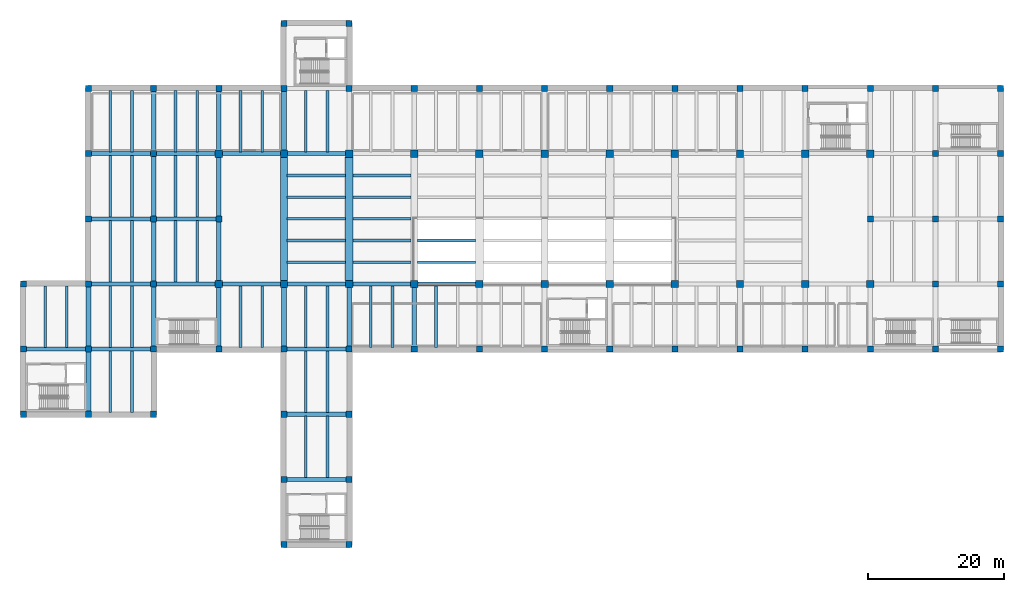
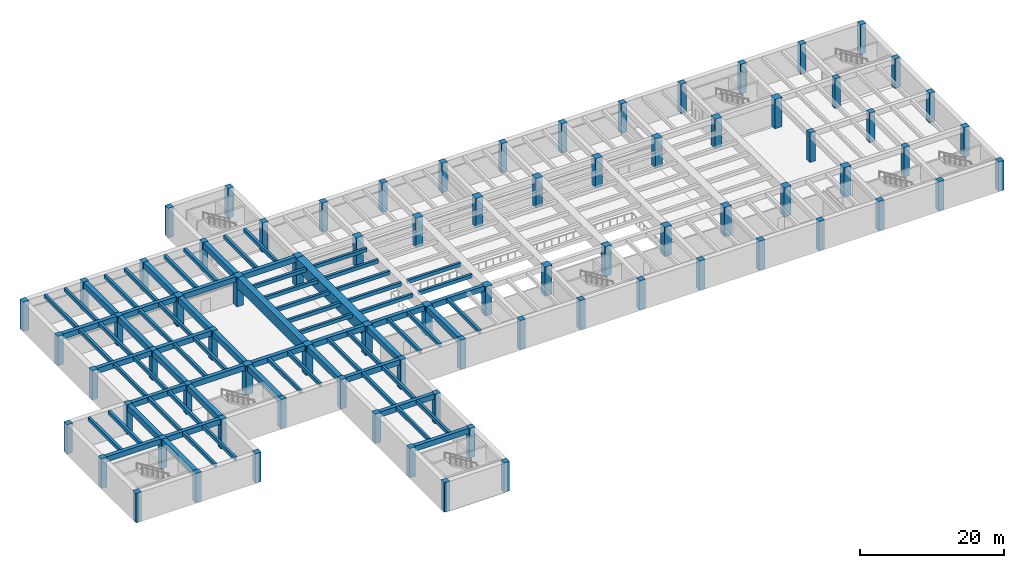
# One storey, part 1 of 19: 79 columns, 78 beams.
"""IFC4 building model written with IfcOpenShell, lengths in metres."""

from ifc_helpers import new_model, si_unit, direction, frame, origin, origin_2d, place, context, subcontext, project, spatial, rectangle, extrude, material, material_profile, profile_set, type_object, element, save


model = new_model("IFC4")

# Units and contexts
model_context = context("Model", 3, precision=1e-05, world=origin(), true_north=direction((0.0, 1.0)))
body_context = subcontext(model_context, "Body", "Model", "MODEL_VIEW")
ifc_project = project(units=[si_unit("LENGTHUNIT", "METRE"), si_unit("AREAUNIT", "SQUARE_METRE"), si_unit("VOLUMEUNIT", "CUBIC_METRE"), si_unit("PLANEANGLEUNIT", "RADIAN"), si_unit("MASSUNIT", "GRAM", prefix="KILO")], contexts=[model_context])

# Site, building, storey
site_placement = place(None, origin())
site = spatial("IfcSite", under=ifc_project, at=site_placement, CompositionType="ELEMENT")
building_placement = place(site_placement, origin())
building = spatial("IfcBuilding", under=site, at=building_placement, Name="Coralgate Yard Interchange", CompositionType="ELEMENT")
storey_placement = place(building_placement, frame((0.0, 0.0, -5.39990234375)))
storey = spatial("IfcBuildingStorey", under=building, at=storey_placement, Name="B1", CompositionType="ELEMENT", Elevation=-5.39990234375)

# Columns
ifc_material = material(Name="Concrete C40/50", Category="concrete")
ifc_material_profile_1 = material_profile(ifc_material, rectangle(XDim=1.10009765625, YDim=1.10009765625, at=origin_2d()), Name="RC 1100x1100")
ifc_profile_set_1 = profile_set([ifc_material_profile_1], Name="Concrete C40/50")
column_type_1 = type_object("IfcColumnType", Name="COL-CC-1", PredefinedType="COLUMN", material=ifc_profile_set_1)
for number, where, z_axis, x_axis, name in (
    (1, (38.39990234375, 48.0, 0.0), (0.0, 0.0, 1.0), (1.0, 0.0, 0.0), "B1 structural column 4-5"),
    (2, (38.39990234375, 67.199951171875, 0.0), (0.0, 0.0, 1.0), (1.0, 0.0, 0.0), "B1 structural column 4-7"),
    (3, (48.0, 48.0, 0.0), (0.0, 0.0, 1.0), (1.0, 0.0, 0.0), "B1 structural column 5-5"),
    (4, (48.0, 67.199951171875, 0.0), (0.0, 0.0, 1.0), (1.0, 0.0, 0.0), "B1 structural column 5-7"),
    (5, (57.60009765625, 48.0, 0.0), (0.0, 0.0, 1.0), (1.0, 0.0, 0.0), "B1 structural column 6-5"),
    (6, (57.60009765625, 67.199951171875, 0.0), (0.0, 0.0, 1.0), (1.0, 0.0, 0.0), "B1 structural column 6-7"),
    (7, (67.199951171875, 48.0, 0.0), (0.0, 0.0, 1.0), (1.0, 0.0, 0.0), "B1 structural column 7-5"),
    (8, (67.199951171875, 67.199951171875, 0.0), (0.0, 0.0, 1.0), (1.0, 0.0, 0.0), "B1 structural column 7-7"),
    (9, (76.800048828125, 48.0, 0.0), (0.0, 0.0, 1.0), (1.0, 0.0, 0.0), "B1 structural column 8-5"),
    (10, (76.800048828125, 67.199951171875, 0.0), (0.0, 0.0, 1.0), (1.0, 0.0, 0.0), "B1 structural column 8-7"),
    (11, (86.39990234375, 48.0, 0.0), (0.0, 0.0, 1.0), (1.0, 0.0, 0.0), "B1 structural column 9-5"),
    (12, (86.39990234375, 67.199951171875, 0.0), (0.0, 0.0, 1.0), (1.0, 0.0, 0.0), "B1 structural column 9-7"),
    (13, (96.0, 48.0, 0.0), (0.0, 0.0, 1.0), (1.0, 0.0, 0.0), "B1 structural column 10-5"),
    (14, (96.0, 67.199951171875, 0.0), (0.0, 0.0, 1.0), (1.0, 0.0, 0.0), "B1 structural column 10-7"),
    (15, (105.60009765625, 48.0, 0.0), (0.0, 0.0, 1.0), (1.0, 0.0, 0.0), "B1 structural column 11-5"),
    (16, (105.60009765625, 67.199951171875, 0.0), (0.0, 0.0, 1.0), (1.0, 0.0, 0.0), "B1 structural column 11-7"),
    (17, (115.199951171875, 48.0, 0.0), (0.0, 0.0, 1.0), (1.0, 0.0, 0.0), "B1 structural column 12-5"),
    (18, (115.199951171875, 67.199951171875, 0.0), (0.0, 0.0, 1.0), (1.0, 0.0, 0.0), "B1 structural column 12-7"),
    (19, (124.800048828125, 48.0, 0.0), (0.0, 0.0, 1.0), (1.0, 0.0, 0.0), "B1 structural column 13-5"),
    (20, (124.800048828125, 67.199951171875, 0.0), (0.0, 0.0, 1.0), (1.0, 0.0, 0.0), "B1 structural column 13-7"),
    (21, (134.39990234375, 48.0, 0.0), (0.0, 0.0, 1.0), (1.0, 0.0, 0.0), "B1 structural column 14-5"),
    (22, (134.39990234375, 67.199951171875, 0.0), (0.0, 0.0, 1.0), (1.0, 0.0, 0.0), "B1 structural column 14-7"),
):
    element("IfcColumn", number, at=place(storey_placement, frame(where, z_axis=z_axis, x_axis=x_axis)), inside=storey, type_object=column_type_1, Name=name, PredefinedType="COLUMN", context=body_context, shape_type="SweptSolid", body=[
        extrude(rectangle(XDim=1.10009765625, YDim=1.10009765625, at=origin_2d()), origin(), (0.0, 0.0, 1.0), 5.0),
    ])
ifc_material_profile_2 = material_profile(ifc_material, rectangle(XDim=0.89990234375, YDim=0.89990234375, at=origin_2d()), Name="RC 900x900")
ifc_profile_set_2 = profile_set([ifc_material_profile_2], Name="Concrete C40/50")
column_type_2 = type_object("IfcColumnType", Name="COL-CC-3", PredefinedType="COLUMN", material=ifc_profile_set_2)
for number, where, z_axis, x_axis, name in (
    (23, (9.60009765625, 28.800048828125, 0.0), (0.0, 0.0, 1.0), (1.0, 0.0, 0.0), "B1 structural column 1-3"),
    (24, (9.60009765625, 38.39990234375, 0.0), (0.0, 0.0, 1.0), (1.0, 0.0, 0.0), "B1 structural column 1-4"),
    (25, (9.60009765625, 48.0, 0.0), (0.0, 0.0, 1.0), (1.0, 0.0, 0.0), "B1 structural column 1-5"),
    (26, (19.199951171875, 28.800048828125, 0.0), (0.0, 0.0, 1.0), (1.0, 0.0, 0.0), "B1 structural column 2-3"),
    (27, (19.199951171875, 38.39990234375, 0.0), (0.0, 0.0, 1.0), (1.0, 0.0, 0.0), "B1 structural column 2-4"),
    (28, (19.199951171875, 48.0, 0.0), (0.0, 0.0, 1.0), (1.0, 0.0, 0.0), "B1 structural column 2-5"),
    (29, (19.199951171875, 57.60009765625, 0.0), (0.0, 0.0, 1.0), (1.0, 0.0, 0.0), "B1 structural column 2-6"),
    (30, (19.199951171875, 67.199951171875, 0.0), (0.0, 0.0, 1.0), (1.0, 0.0, 0.0), "B1 structural column 2-7"),
    (31, (19.199951171875, 76.800048828125, 0.0), (0.0, 0.0, 1.0), (1.0, 0.0, 0.0), "B1 structural column 2-8"),
    (32, (28.800048828125, 28.800048828125, 0.0), (0.0, 0.0, 1.0), (1.0, 0.0, 0.0), "B1 structural column 3-3"),
    (33, (28.800048828125, 38.39990234375, 0.0), (0.0, 0.0, 1.0), (1.0, 0.0, 0.0), "B1 structural column 3-4"),
    (34, (28.800048828125, 48.0, 0.0), (0.0, 0.0, 1.0), (1.0, 0.0, 0.0), "B1 structural column 3-5"),
    (35, (28.800048828125, 57.60009765625, 0.0), (0.0, 0.0, 1.0), (1.0, 0.0, 0.0), "B1 structural column 3-6"),
    (36, (28.800048828125, 67.199951171875, 0.0), (0.0, 0.0, 1.0), (1.0, 0.0, 0.0), "B1 structural column 3-7"),
    (37, (28.800048828125, 76.800048828125, 0.0), (0.0, 0.0, 1.0), (1.0, 0.0, 0.0), "B1 structural column 3-8"),
    (38, (38.39990234375, 38.39990234375, 0.0), (0.0, 0.0, 1.0), (1.0, 0.0, 0.0), "B1 structural column 4-4"),
    (39, (38.39990234375, 57.60009765625, 0.0), (0.0, 0.0, 1.0), (1.0, 0.0, 0.0), "B1 structural column 4-6"),
    (40, (38.39990234375, 76.800048828125, 0.0), (0.0, 0.0, 1.0), (1.0, 0.0, 0.0), "B1 structural column 4-8"),
    (41, (48.0, 9.60009765625, 0.0), (0.0, 0.0, 1.0), (1.0, 0.0, 0.0), "B1 structural column 5-1"),
    (42, (48.0, 19.199951171875, 0.0), (0.0, 0.0, 1.0), (1.0, 0.0, 0.0), "B1 structural column 5-2"),
    (43, (48.0, 28.800048828125, 0.0), (0.0, 0.0, 1.0), (1.0, 0.0, 0.0), "B1 structural column 5-3"),
    (44, (48.0, 38.39990234375, 0.0), (0.0, 0.0, 1.0), (1.0, 0.0, 0.0), "B1 structural column 5-4"),
    (45, (48.0, 76.800048828125, 0.0), (0.0, 0.0, 1.0), (1.0, 0.0, 0.0), "B1 structural column 5-8"),
    (46, (48.0, 86.39990234375, 0.0), (0.0, 0.0, 1.0), (1.0, 0.0, 0.0), "B1 structural column 5-9"),
    (47, (57.60009765625, 9.60009765625, 0.0), (0.0, 0.0, 1.0), (1.0, 0.0, 0.0), "B1 structural column 6-1"),
    (48, (57.60009765625, 19.199951171875, 0.0), (0.0, 0.0, 1.0), (1.0, 0.0, 0.0), "B1 structural column 6-2"),
    (49, (57.60009765625, 28.800048828125, 0.0), (0.0, 0.0, 1.0), (1.0, 0.0, 0.0), "B1 structural column 6-3"),
    (50, (57.60009765625, 38.39990234375, 0.0), (0.0, 0.0, 1.0), (1.0, 0.0, 0.0), "B1 structural column 6-4"),
    (51, (57.60009765625, 76.800048828125, 0.0), (0.0, 0.0, 1.0), (1.0, 0.0, 0.0), "B1 structural column 6-8"),
    (52, (57.60009765625, 86.39990234375, 0.0), (0.0, 0.0, 1.0), (1.0, 0.0, 0.0), "B1 structural column 6-9"),
    (53, (67.199951171875, 38.39990234375, 0.0), (0.0, 0.0, 1.0), (1.0, 0.0, 0.0), "B1 structural column 7-4"),
    (54, (67.199951171875, 76.800048828125, 0.0), (0.0, 0.0, 1.0), (1.0, 0.0, 0.0), "B1 structural column 7-8"),
    (55, (76.800048828125, 38.39990234375, 0.0), (0.0, 0.0, 1.0), (1.0, 0.0, 0.0), "B1 structural column 8-4"),
    (56, (76.800048828125, 76.800048828125, 0.0), (0.0, 0.0, 1.0), (1.0, 0.0, 0.0), "B1 structural column 8-8"),
    (57, (86.39990234375, 38.39990234375, 0.0), (0.0, 0.0, 1.0), (1.0, 0.0, 0.0), "B1 structural column 9-4"),
    (58, (86.39990234375, 76.800048828125, 0.0), (0.0, 0.0, 1.0), (1.0, 0.0, 0.0), "B1 structural column 9-8"),
    (59, (96.0, 38.39990234375, 0.0), (0.0, 0.0, 1.0), (1.0, 0.0, 0.0), "B1 structural column 10-4"),
    (60, (96.0, 76.800048828125, 0.0), (0.0, 0.0, 1.0), (1.0, 0.0, 0.0), "B1 structural column 10-8"),
    (61, (105.60009765625, 38.39990234375, 0.0), (0.0, 0.0, 1.0), (1.0, 0.0, 0.0), "B1 structural column 11-4"),
    (62, (105.60009765625, 76.800048828125, 0.0), (0.0, 0.0, 1.0), (1.0, 0.0, 0.0), "B1 structural column 11-8"),
    (63, (115.199951171875, 38.39990234375, 0.0), (0.0, 0.0, 1.0), (1.0, 0.0, 0.0), "B1 structural column 12-4"),
    (64, (115.199951171875, 76.800048828125, 0.0), (0.0, 0.0, 1.0), (1.0, 0.0, 0.0), "B1 structural column 12-8"),
    (65, (124.800048828125, 38.39990234375, 0.0), (0.0, 0.0, 1.0), (1.0, 0.0, 0.0), "B1 structural column 13-4"),
    (66, (124.800048828125, 76.800048828125, 0.0), (0.0, 0.0, 1.0), (1.0, 0.0, 0.0), "B1 structural column 13-8"),
    (67, (134.39990234375, 38.39990234375, 0.0), (0.0, 0.0, 1.0), (1.0, 0.0, 0.0), "B1 structural column 14-4"),
    (68, (134.39990234375, 57.60009765625, 0.0), (0.0, 0.0, 1.0), (1.0, 0.0, 0.0), "B1 structural column 14-6"),
    (69, (134.39990234375, 76.800048828125, 0.0), (0.0, 0.0, 1.0), (1.0, 0.0, 0.0), "B1 structural column 14-8"),
    (70, (144.0, 38.39990234375, 0.0), (0.0, 0.0, 1.0), (1.0, 0.0, 0.0), "B1 structural column 15-4"),
    (71, (144.0, 48.0, 0.0), (0.0, 0.0, 1.0), (1.0, 0.0, 0.0), "B1 structural column 15-5"),
    (72, (144.0, 57.60009765625, 0.0), (0.0, 0.0, 1.0), (1.0, 0.0, 0.0), "B1 structural column 15-6"),
    (73, (144.0, 67.199951171875, 0.0), (0.0, 0.0, 1.0), (1.0, 0.0, 0.0), "B1 structural column 15-7"),
    (74, (144.0, 76.800048828125, 0.0), (0.0, 0.0, 1.0), (1.0, 0.0, 0.0), "B1 structural column 15-8"),
    (75, (153.60009765625, 38.39990234375, 0.0), (0.0, 0.0, 1.0), (1.0, 0.0, 0.0), "B1 structural column 16-4"),
    (76, (153.60009765625, 48.0, 0.0), (0.0, 0.0, 1.0), (1.0, 0.0, 0.0), "B1 structural column 16-5"),
    (77, (153.60009765625, 57.60009765625, 0.0), (0.0, 0.0, 1.0), (1.0, 0.0, 0.0), "B1 structural column 16-6"),
    (78, (153.60009765625, 67.199951171875, 0.0), (0.0, 0.0, 1.0), (1.0, 0.0, 0.0), "B1 structural column 16-7"),
    (79, (153.60009765625, 76.800048828125, 0.0), (0.0, 0.0, 1.0), (1.0, 0.0, 0.0), "B1 structural column 16-8"),
):
    element("IfcColumn", number, at=place(storey_placement, frame(where, z_axis=z_axis, x_axis=x_axis)), inside=storey, type_object=column_type_2, Name=name, PredefinedType="COLUMN", context=body_context, shape_type="SweptSolid", body=[
        extrude(rectangle(XDim=0.89990234375, YDim=0.89990234375, at=origin_2d()), origin(), (0.0, 0.0, 1.0), 5.0),
    ])

# Beams
ifc_material_profile_3 = material_profile(ifc_material, rectangle(XDim=0.699951171875, YDim=1.0, at=origin_2d()), Name="RC 700x1000")
ifc_profile_set_3 = profile_set([ifc_material_profile_3], Name="Concrete C40/50")
beam_type_1 = type_object("IfcBeamType", Name="BM-CB-2", PredefinedType="BEAM", material=ifc_profile_set_3)
for number, where, z_axis, x_axis, name in (
    (80, (19.199951171875, 29.219970703125, 4.5), (0.0, 1.0, 0.0), (-1.0, 0.0, 0.0), "B1 primary grid girder X2 Y3-4"),
    (81, (19.199951171875, 38.820068359375, 4.5), (0.0, 1.0, 0.0), (-1.0, 0.0, 0.0), "B1 primary grid girder X2 Y4-5"),
    (82, (28.800048828125, 38.820068359375, 4.5), (0.0, 1.0, 0.0), (-1.0, 0.0, 0.0), "B1 primary grid girder X3 Y4-5"),
    (83, (28.800048828125, 48.419921875, 4.5), (0.0, 1.0, 0.0), (-1.0, 0.0, 0.0), "B1 primary grid girder X3 Y5-6"),
    (84, (28.800048828125, 58.02001953125, 4.5), (0.0, 1.0, 0.0), (-1.0, 0.0, 0.0), "B1 primary grid girder X3 Y6-7"),
):
    element("IfcBeam", number, at=place(storey_placement, frame(where, z_axis=z_axis, x_axis=x_axis)), inside=storey, type_object=beam_type_1, Name=name, PredefinedType="BEAM", context=body_context, shape_type="SweptSolid", body=[
        extrude(rectangle(XDim=0.699951171875, YDim=1.0, at=origin_2d()), origin(), (0.0, 0.0, 1.0), 8.760009765625),
    ])
beam_1_placement = place(storey_placement, frame((28.800048828125, 67.6201171875, 4.5), z_axis=(0.0, 1.0, 0.0), x_axis=(-1.0, 0.0, 0.0)))
element("IfcBeam", 85, at=beam_1_placement, inside=storey, type_object=beam_type_1, Name="B1 primary grid girder X3 Y7-8", PredefinedType="BEAM", context=body_context, shape_type="SweptSolid", body=[
    extrude(rectangle(XDim=0.699951171875, YDim=1.0, at=origin_2d()), origin(), (0.0, 0.0, 1.0), 8.759765625),
])
for number, where, z_axis, x_axis, name in (
    (86, (38.39990234375, 38.820068359375, 4.5), (0.0, 1.0, 0.0), (-1.0, 0.0, 0.0), "B1 primary grid girder X4 Y4-5"),
    (87, (38.39990234375, 48.52001953125, 4.5), (0.0, 1.0, 0.0), (-1.0, 0.0, 0.0), "B1 primary grid girder X4 Y5-6"),
    (88, (38.39990234375, 58.02001953125, 4.5), (0.0, 1.0, 0.0), (-1.0, 0.0, 0.0), "B1 primary grid girder X4 Y6-7"),
    (89, (38.39990234375, 67.719970703125, 4.5), (0.0, 1.0, 0.0), (-1.0, 0.0, 0.0), "B1 primary grid girder X4 Y7-8"),
    (90, (48.0, 38.820068359375, 4.5), (0.0, 1.0, 0.0), (-1.0, 0.0, 0.0), "B1 primary grid girder X5 Y4-5"),
    (91, (48.0, 67.719970703125, 4.5), (0.0, 1.0, 0.0), (-1.0, 0.0, 0.0), "B1 primary grid girder X5 Y7-8"),
    (92, (57.60009765625, 38.820068359375, 4.5), (0.0, 1.0, 0.0), (-1.0, 0.0, 0.0), "B1 primary grid girder X6 Y4-5"),
    (93, (67.199951171875, 38.820068359375, 4.5), (0.0, 1.0, 0.0), (-1.0, 0.0, 0.0), "B1 primary grid girder X7 Y4-5"),
):
    element("IfcBeam", number, at=place(storey_placement, frame(where, z_axis=z_axis, x_axis=x_axis)), inside=storey, type_object=beam_type_1, Name=name, PredefinedType="BEAM", context=body_context, shape_type="SweptSolid", body=[
        extrude(rectangle(XDim=0.699951171875, YDim=1.0, at=origin_2d()), origin(), (0.0, 0.0, 1.0), 8.659912109375),
    ])
ifc_material_profile_4 = material_profile(ifc_material, rectangle(XDim=0.60009765625, YDim=0.89990234375, at=origin_2d()), Name="RC 600x900")
ifc_profile_set_4 = profile_set([ifc_material_profile_4], Name="Concrete C40/50")
beam_type_2 = type_object("IfcBeamType", Name="BM-CB-3", PredefinedType="BEAM", material=ifc_profile_set_4)
for number, where, z_axis, x_axis, name in (
    (94, (48.419921875, 19.199951171875, 4.5498046875), (1.0, 0.0, 0.0), (0.0, 1.0, 0.0), "B1 primary grid beam Y2 X5-6"),
    (95, (48.419921875, 28.800048828125, 4.5498046875), (1.0, 0.0, 0.0), (0.0, 1.0, 0.0), "B1 primary grid beam Y3 X5-6"),
    (96, (10.02001953125, 38.39990234375, 4.5498046875), (1.0, 0.0, 0.0), (0.0, 1.0, 0.0), "B1 primary grid beam Y4 X1-2"),
):
    element("IfcBeam", number, at=place(storey_placement, frame(where, z_axis=z_axis, x_axis=x_axis)), inside=storey, type_object=beam_type_2, Name=name, PredefinedType="BEAM", context=body_context, shape_type="SweptSolid", body=[
        extrude(rectangle(XDim=0.60009765625, YDim=0.89990234375, at=origin_2d()), origin(), (0.0, 0.0, 1.0), 8.760009765625),
    ])
beam_2_placement = place(storey_placement, frame((19.6201171875, 38.39990234375, 4.5498046875), z_axis=(1.0, 0.0, 0.0), x_axis=(0.0, 1.0, 0.0)))
element("IfcBeam", 97, at=beam_2_placement, inside=storey, type_object=beam_type_2, Name="B1 primary grid beam Y4 X2-3", PredefinedType="BEAM", context=body_context, shape_type="SweptSolid", body=[
    extrude(rectangle(XDim=0.60009765625, YDim=0.89990234375, at=origin_2d()), origin(), (0.0, 0.0, 1.0), 8.759765625),
])
beam_3_placement = place(storey_placement, frame((48.419921875, 38.39990234375, 4.5498046875), z_axis=(1.0, 0.0, 0.0), x_axis=(0.0, 1.0, 0.0)))
element("IfcBeam", 98, at=beam_3_placement, inside=storey, type_object=beam_type_2, Name="B1 primary grid beam Y4 X5-6", PredefinedType="BEAM", context=body_context, shape_type="SweptSolid", body=[
    extrude(rectangle(XDim=0.60009765625, YDim=0.89990234375, at=origin_2d()), origin(), (0.0, 0.0, 1.0), 8.760009765625),
])
beam_4_placement = place(storey_placement, frame((19.6201171875, 48.0, 4.5498046875), z_axis=(1.0, 0.0, 0.0), x_axis=(0.0, 1.0, 0.0)))
element("IfcBeam", 99, at=beam_4_placement, inside=storey, type_object=beam_type_2, Name="B1 primary grid beam Y5 X2-3", PredefinedType="BEAM", context=body_context, shape_type="SweptSolid", body=[
    extrude(rectangle(XDim=0.60009765625, YDim=0.89990234375, at=origin_2d()), origin(), (0.0, 0.0, 1.0), 8.759765625),
])
beam_5_placement = place(storey_placement, frame((29.219970703125, 48.0, 4.5498046875), z_axis=(1.0, 0.0, 0.0), x_axis=(0.0, 1.0, 0.0)))
element("IfcBeam", 100, at=beam_5_placement, inside=storey, type_object=beam_type_2, Name="B1 primary grid beam Y5 X3-4", PredefinedType="BEAM", context=body_context, shape_type="SweptSolid", body=[
    extrude(rectangle(XDim=0.60009765625, YDim=0.89990234375, at=origin_2d()), origin(), (0.0, 0.0, 1.0), 8.659912109375),
])
for number, where, z_axis, x_axis, name in (
    (101, (38.919921875, 48.0, 4.5498046875), (1.0, 0.0, 0.0), (0.0, 1.0, 0.0), "B1 primary grid beam Y5 X4-5"),
    (102, (48.52001953125, 48.0, 4.5498046875), (1.0, 0.0, 0.0), (0.0, 1.0, 0.0), "B1 primary grid beam Y5 X5-6"),
):
    element("IfcBeam", number, at=place(storey_placement, frame(where, z_axis=z_axis, x_axis=x_axis)), inside=storey, type_object=beam_type_2, Name=name, PredefinedType="BEAM", context=body_context, shape_type="SweptSolid", body=[
        extrude(rectangle(XDim=0.60009765625, YDim=0.89990234375, at=origin_2d()), origin(), (0.0, 0.0, 1.0), 8.56005859375),
    ])
beam_6_placement = place(storey_placement, frame((58.1201171875, 48.0, 4.5498046875), z_axis=(1.0, 0.0, 0.0), x_axis=(0.0, 1.0, 0.0)))
element("IfcBeam", 103, at=beam_6_placement, inside=storey, type_object=beam_type_2, Name="B1 primary grid beam Y5 X6-7", PredefinedType="BEAM", context=body_context, shape_type="SweptSolid", body=[
    extrude(rectangle(XDim=0.60009765625, YDim=0.89990234375, at=origin_2d()), origin(), (0.0, 0.0, 1.0), 8.559814453125),
])
beam_7_placement = place(storey_placement, frame((67.719970703125, 48.0, 4.5498046875), z_axis=(1.0, 0.0, 0.0), x_axis=(0.0, 1.0, 0.0)))
element("IfcBeam", 104, at=beam_7_placement, inside=storey, type_object=beam_type_2, Name="B1 primary grid beam Y5 X7-8", PredefinedType="BEAM", context=body_context, shape_type="SweptSolid", body=[
    extrude(rectangle(XDim=0.60009765625, YDim=0.89990234375, at=origin_2d()), origin(), (0.0, 0.0, 1.0), 8.56005859375),
])
beam_8_placement = place(storey_placement, frame((19.6201171875, 57.60009765625, 4.5498046875), z_axis=(1.0, 0.0, 0.0), x_axis=(0.0, 1.0, 0.0)))
element("IfcBeam", 105, at=beam_8_placement, inside=storey, type_object=beam_type_2, Name="B1 primary grid beam Y6 X2-3", PredefinedType="BEAM", context=body_context, shape_type="SweptSolid", body=[
    extrude(rectangle(XDim=0.60009765625, YDim=0.89990234375, at=origin_2d()), origin(), (0.0, 0.0, 1.0), 8.759765625),
])
beam_9_placement = place(storey_placement, frame((29.219970703125, 57.60009765625, 4.5498046875), z_axis=(1.0, 0.0, 0.0), x_axis=(0.0, 1.0, 0.0)))
element("IfcBeam", 106, at=beam_9_placement, inside=storey, type_object=beam_type_2, Name="B1 primary grid beam Y6 X3-4", PredefinedType="BEAM", context=body_context, shape_type="SweptSolid", body=[
    extrude(rectangle(XDim=0.60009765625, YDim=0.89990234375, at=origin_2d()), origin(), (0.0, 0.0, 1.0), 8.760009765625),
])
beam_10_placement = place(storey_placement, frame((19.6201171875, 67.199951171875, 4.5498046875), z_axis=(1.0, 0.0, 0.0), x_axis=(0.0, 1.0, 0.0)))
element("IfcBeam", 107, at=beam_10_placement, inside=storey, type_object=beam_type_2, Name="B1 primary grid beam Y7 X2-3", PredefinedType="BEAM", context=body_context, shape_type="SweptSolid", body=[
    extrude(rectangle(XDim=0.60009765625, YDim=0.89990234375, at=origin_2d()), origin(), (0.0, 0.0, 1.0), 8.759765625),
])
beam_11_placement = place(storey_placement, frame((29.219970703125, 67.199951171875, 4.5498046875), z_axis=(1.0, 0.0, 0.0), x_axis=(0.0, 1.0, 0.0)))
element("IfcBeam", 108, at=beam_11_placement, inside=storey, type_object=beam_type_2, Name="B1 primary grid beam Y7 X3-4", PredefinedType="BEAM", context=body_context, shape_type="SweptSolid", body=[
    extrude(rectangle(XDim=0.60009765625, YDim=0.89990234375, at=origin_2d()), origin(), (0.0, 0.0, 1.0), 8.659912109375),
])
for number, where, z_axis, x_axis, name in (
    (109, (38.919921875, 67.199951171875, 4.5498046875), (1.0, 0.0, 0.0), (0.0, 1.0, 0.0), "B1 primary grid beam Y7 X4-5"),
    (110, (48.52001953125, 67.199951171875, 4.5498046875), (1.0, 0.0, 0.0), (0.0, 1.0, 0.0), "B1 primary grid beam Y7 X5-6"),
):
    element("IfcBeam", number, at=place(storey_placement, frame(where, z_axis=z_axis, x_axis=x_axis)), inside=storey, type_object=beam_type_2, Name=name, PredefinedType="BEAM", context=body_context, shape_type="SweptSolid", body=[
        extrude(rectangle(XDim=0.60009765625, YDim=0.89990234375, at=origin_2d()), origin(), (0.0, 0.0, 1.0), 8.56005859375),
    ])
ifc_material_profile_5 = material_profile(ifc_material, rectangle(XDim=0.39990234375, YDim=0.60009765625, at=origin_2d()), Name="RC 400x600")
ifc_profile_set_5 = profile_set([ifc_material_profile_5], Name="Concrete C40/50")
beam_type_3 = type_object("IfcBeamType", Name="BM-CB-5", PredefinedType="BEAM", material=ifc_profile_set_5)
for number, where, z_axis, x_axis, name in (
    (111, (12.800048828125, 38.669921875, 4.699951171875), (0.0, 1.0, 0.0), (-1.0, 0.0, 0.0), "B1 composite floor joist 1-4-1"),
    (112, (16.0, 38.669921875, 4.699951171875), (0.0, 1.0, 0.0), (-1.0, 0.0, 0.0), "B1 composite floor joist 1-4-2"),
):
    element("IfcBeam", number, at=place(storey_placement, frame(where, z_axis=z_axis, x_axis=x_axis)), inside=storey, type_object=beam_type_3, Name=name, PredefinedType="BEAM", context=body_context, shape_type="SweptSolid", body=[
        extrude(rectangle(XDim=0.39990234375, YDim=0.60009765625, at=origin_2d()), origin(), (0.0, 0.0, 1.0), 9.06005859375),
    ])
for number, where, z_axis, x_axis, name in (
    (113, (22.39990234375, 29.070068359375, 4.699951171875), (0.0, 1.0, 0.0), (-1.0, 0.0, 0.0), "B1 composite floor joist 2-3-1"),
    (114, (25.60009765625, 29.070068359375, 4.699951171875), (0.0, 1.0, 0.0), (-1.0, 0.0, 0.0), "B1 composite floor joist 2-3-2"),
):
    element("IfcBeam", number, at=place(storey_placement, frame(where, z_axis=z_axis, x_axis=x_axis)), inside=storey, type_object=beam_type_3, Name=name, PredefinedType="BEAM", context=body_context, shape_type="SweptSolid", body=[
        extrude(rectangle(XDim=0.39990234375, YDim=0.60009765625, at=origin_2d()), origin(), (0.0, 0.0, 1.0), 9.059814453125),
    ])
for number, where, z_axis, x_axis, name in (
    (115, (22.39990234375, 38.669921875, 4.699951171875), (0.0, 1.0, 0.0), (-1.0, 0.0, 0.0), "B1 composite floor joist 2-4-1"),
    (116, (25.60009765625, 38.669921875, 4.699951171875), (0.0, 1.0, 0.0), (-1.0, 0.0, 0.0), "B1 composite floor joist 2-4-2"),
    (117, (22.39990234375, 48.27001953125, 4.699951171875), (0.0, 1.0, 0.0), (-1.0, 0.0, 0.0), "B1 composite floor joist 2-5-1"),
    (118, (25.60009765625, 48.27001953125, 4.699951171875), (0.0, 1.0, 0.0), (-1.0, 0.0, 0.0), "B1 composite floor joist 2-5-2"),
):
    element("IfcBeam", number, at=place(storey_placement, frame(where, z_axis=z_axis, x_axis=x_axis)), inside=storey, type_object=beam_type_3, Name=name, PredefinedType="BEAM", context=body_context, shape_type="SweptSolid", body=[
        extrude(rectangle(XDim=0.39990234375, YDim=0.60009765625, at=origin_2d()), origin(), (0.0, 0.0, 1.0), 9.06005859375),
    ])
for number, where, z_axis, x_axis, name in (
    (119, (22.39990234375, 57.8701171875, 4.699951171875), (0.0, 1.0, 0.0), (-1.0, 0.0, 0.0), "B1 composite floor joist 2-6-1"),
    (120, (25.60009765625, 57.8701171875, 4.699951171875), (0.0, 1.0, 0.0), (-1.0, 0.0, 0.0), "B1 composite floor joist 2-6-2"),
):
    element("IfcBeam", number, at=place(storey_placement, frame(where, z_axis=z_axis, x_axis=x_axis)), inside=storey, type_object=beam_type_3, Name=name, PredefinedType="BEAM", context=body_context, shape_type="SweptSolid", body=[
        extrude(rectangle(XDim=0.39990234375, YDim=0.60009765625, at=origin_2d()), origin(), (0.0, 0.0, 1.0), 9.059814453125),
    ])
for number, where, z_axis, x_axis, name in (
    (121, (22.39990234375, 67.469970703125, 4.699951171875), (0.0, 1.0, 0.0), (-1.0, 0.0, 0.0), "B1 composite floor joist 2-7-1"),
    (122, (25.60009765625, 67.469970703125, 4.699951171875), (0.0, 1.0, 0.0), (-1.0, 0.0, 0.0), "B1 composite floor joist 2-7-2"),
    (123, (32.0, 48.27001953125, 4.699951171875), (0.0, 1.0, 0.0), (-1.0, 0.0, 0.0), "B1 composite floor joist 3-5-1"),
    (124, (35.199951171875, 48.27001953125, 4.699951171875), (0.0, 1.0, 0.0), (-1.0, 0.0, 0.0), "B1 composite floor joist 3-5-2"),
):
    element("IfcBeam", number, at=place(storey_placement, frame(where, z_axis=z_axis, x_axis=x_axis)), inside=storey, type_object=beam_type_3, Name=name, PredefinedType="BEAM", context=body_context, shape_type="SweptSolid", body=[
        extrude(rectangle(XDim=0.39990234375, YDim=0.60009765625, at=origin_2d()), origin(), (0.0, 0.0, 1.0), 9.06005859375),
    ])
for number, where, z_axis, x_axis, name in (
    (125, (32.0, 57.8701171875, 4.699951171875), (0.0, 1.0, 0.0), (-1.0, 0.0, 0.0), "B1 composite floor joist 3-6-1"),
    (126, (35.199951171875, 57.8701171875, 4.699951171875), (0.0, 1.0, 0.0), (-1.0, 0.0, 0.0), "B1 composite floor joist 3-6-2"),
):
    element("IfcBeam", number, at=place(storey_placement, frame(where, z_axis=z_axis, x_axis=x_axis)), inside=storey, type_object=beam_type_3, Name=name, PredefinedType="BEAM", context=body_context, shape_type="SweptSolid", body=[
        extrude(rectangle(XDim=0.39990234375, YDim=0.60009765625, at=origin_2d()), origin(), (0.0, 0.0, 1.0), 9.059814453125),
    ])
for number, where, z_axis, x_axis, name in (
    (127, (32.0, 67.469970703125, 4.699951171875), (0.0, 1.0, 0.0), (-1.0, 0.0, 0.0), "B1 composite floor joist 3-7-1"),
    (128, (35.199951171875, 67.469970703125, 4.699951171875), (0.0, 1.0, 0.0), (-1.0, 0.0, 0.0), "B1 composite floor joist 3-7-2"),
    (129, (41.60009765625, 38.669921875, 4.699951171875), (0.0, 1.0, 0.0), (-1.0, 0.0, 0.0), "B1 composite floor joist 4-4-1"),
    (130, (44.800048828125, 38.669921875, 4.699951171875), (0.0, 1.0, 0.0), (-1.0, 0.0, 0.0), "B1 composite floor joist 4-4-2"),
    (131, (41.60009765625, 67.469970703125, 4.699951171875), (0.0, 1.0, 0.0), (-1.0, 0.0, 0.0), "B1 composite floor joist 4-7-1"),
    (132, (44.800048828125, 67.469970703125, 4.699951171875), (0.0, 1.0, 0.0), (-1.0, 0.0, 0.0), "B1 composite floor joist 4-7-2"),
    (133, (51.199951171875, 19.469970703125, 4.699951171875), (0.0, 1.0, 0.0), (-1.0, 0.0, 0.0), "B1 composite floor joist 5-2-1"),
    (134, (54.39990234375, 19.469970703125, 4.699951171875), (0.0, 1.0, 0.0), (-1.0, 0.0, 0.0), "B1 composite floor joist 5-2-2"),
):
    element("IfcBeam", number, at=place(storey_placement, frame(where, z_axis=z_axis, x_axis=x_axis)), inside=storey, type_object=beam_type_3, Name=name, PredefinedType="BEAM", context=body_context, shape_type="SweptSolid", body=[
        extrude(rectangle(XDim=0.39990234375, YDim=0.60009765625, at=origin_2d()), origin(), (0.0, 0.0, 1.0), 9.06005859375),
    ])
for number, where, z_axis, x_axis, name in (
    (135, (51.199951171875, 29.070068359375, 4.699951171875), (0.0, 1.0, 0.0), (-1.0, 0.0, 0.0), "B1 composite floor joist 5-3-1"),
    (136, (54.39990234375, 29.070068359375, 4.699951171875), (0.0, 1.0, 0.0), (-1.0, 0.0, 0.0), "B1 composite floor joist 5-3-2"),
):
    element("IfcBeam", number, at=place(storey_placement, frame(where, z_axis=z_axis, x_axis=x_axis)), inside=storey, type_object=beam_type_3, Name=name, PredefinedType="BEAM", context=body_context, shape_type="SweptSolid", body=[
        extrude(rectangle(XDim=0.39990234375, YDim=0.60009765625, at=origin_2d()), origin(), (0.0, 0.0, 1.0), 9.059814453125),
    ])
for number, where, z_axis, x_axis, name in (
    (137, (51.199951171875, 38.669921875, 4.699951171875), (0.0, 1.0, 0.0), (-1.0, 0.0, 0.0), "B1 composite floor joist 5-4-1"),
    (138, (54.39990234375, 38.669921875, 4.699951171875), (0.0, 1.0, 0.0), (-1.0, 0.0, 0.0), "B1 composite floor joist 5-4-2"),
):
    element("IfcBeam", number, at=place(storey_placement, frame(where, z_axis=z_axis, x_axis=x_axis)), inside=storey, type_object=beam_type_3, Name=name, PredefinedType="BEAM", context=body_context, shape_type="SweptSolid", body=[
        extrude(rectangle(XDim=0.39990234375, YDim=0.60009765625, at=origin_2d()), origin(), (0.0, 0.0, 1.0), 9.06005859375),
    ])
for number, where, z_axis, x_axis, name in (
    (139, (48.469970703125, 51.199951171875, 4.699951171875), (1.0, 0.0, 0.0), (0.0, 1.0, 0.0), "B1 metro bay secondary beam 5-1"),
    (140, (48.469970703125, 54.39990234375, 4.699951171875), (1.0, 0.0, 0.0), (0.0, 1.0, 0.0), "B1 metro bay secondary beam 5-2"),
    (141, (48.469970703125, 57.60009765625, 4.699951171875), (1.0, 0.0, 0.0), (0.0, 1.0, 0.0), "B1 metro bay secondary beam 5-3"),
    (142, (48.469970703125, 60.800048828125, 4.699951171875), (1.0, 0.0, 0.0), (0.0, 1.0, 0.0), "B1 metro bay secondary beam 5-4"),
    (143, (48.469970703125, 64.0, 4.699951171875), (1.0, 0.0, 0.0), (0.0, 1.0, 0.0), "B1 metro bay secondary beam 5-5"),
):
    element("IfcBeam", number, at=place(storey_placement, frame(where, z_axis=z_axis, x_axis=x_axis)), inside=storey, type_object=beam_type_3, Name=name, PredefinedType="BEAM", context=body_context, shape_type="SweptSolid", body=[
        extrude(rectangle(XDim=0.39990234375, YDim=0.60009765625, at=origin_2d()), origin(), (0.0, 0.0, 1.0), 8.56005859375),
    ])
for number, where, z_axis, x_axis, name in (
    (144, (51.199951171875, 67.469970703125, 4.699951171875), (0.0, 1.0, 0.0), (-1.0, 0.0, 0.0), "B1 composite floor joist 5-7-1"),
    (145, (54.39990234375, 67.469970703125, 4.699951171875), (0.0, 1.0, 0.0), (-1.0, 0.0, 0.0), "B1 composite floor joist 5-7-2"),
    (146, (60.800048828125, 38.669921875, 4.699951171875), (0.0, 1.0, 0.0), (-1.0, 0.0, 0.0), "B1 composite floor joist 6-4-1"),
    (147, (64.0, 38.669921875, 4.699951171875), (0.0, 1.0, 0.0), (-1.0, 0.0, 0.0), "B1 composite floor joist 6-4-2"),
):
    element("IfcBeam", number, at=place(storey_placement, frame(where, z_axis=z_axis, x_axis=x_axis)), inside=storey, type_object=beam_type_3, Name=name, PredefinedType="BEAM", context=body_context, shape_type="SweptSolid", body=[
        extrude(rectangle(XDim=0.39990234375, YDim=0.60009765625, at=origin_2d()), origin(), (0.0, 0.0, 1.0), 9.06005859375),
    ])
for number, where, z_axis, x_axis, name in (
    (148, (58.169921875, 51.199951171875, 4.699951171875), (1.0, 0.0, 0.0), (0.0, 1.0, 0.0), "B1 metro bay secondary beam 6-1"),
    (149, (58.169921875, 54.39990234375, 4.699951171875), (1.0, 0.0, 0.0), (0.0, 1.0, 0.0), "B1 metro bay secondary beam 6-2"),
    (150, (58.169921875, 57.60009765625, 4.699951171875), (1.0, 0.0, 0.0), (0.0, 1.0, 0.0), "B1 metro bay secondary beam 6-3"),
    (151, (58.169921875, 60.800048828125, 4.699951171875), (1.0, 0.0, 0.0), (0.0, 1.0, 0.0), "B1 metro bay secondary beam 6-4"),
    (152, (58.169921875, 64.0, 4.699951171875), (1.0, 0.0, 0.0), (0.0, 1.0, 0.0), "B1 metro bay secondary beam 6-5"),
):
    element("IfcBeam", number, at=place(storey_placement, frame(where, z_axis=z_axis, x_axis=x_axis)), inside=storey, type_object=beam_type_3, Name=name, PredefinedType="BEAM", context=body_context, shape_type="SweptSolid", body=[
        extrude(rectangle(XDim=0.39990234375, YDim=0.60009765625, at=origin_2d()), origin(), (0.0, 0.0, 1.0), 8.56005859375),
    ])
beam_12_placement = place(storey_placement, frame((70.39990234375, 38.669921875, 4.699951171875), z_axis=(0.0, 1.0, 0.0), x_axis=(-1.0, 0.0, 0.0)))
element("IfcBeam", 153, at=beam_12_placement, inside=storey, type_object=beam_type_3, Name="B1 composite floor joist 7-4-1", PredefinedType="BEAM", context=body_context, shape_type="SweptSolid", body=[
    extrude(rectangle(XDim=0.39990234375, YDim=0.60009765625, at=origin_2d()), origin(), (0.0, 0.0, 1.0), 9.06005859375),
])
for number, where, z_axis, x_axis, name in (
    (154, (67.669921875, 51.199951171875, 4.699951171875), (1.0, 0.0, 0.0), (0.0, 1.0, 0.0), "B1 metro bay secondary beam 7-1"),
    (155, (67.669921875, 54.39990234375, 4.699951171875), (1.0, 0.0, 0.0), (0.0, 1.0, 0.0), "B1 metro bay secondary beam 7-2"),
):
    element("IfcBeam", number, at=place(storey_placement, frame(where, z_axis=z_axis, x_axis=x_axis)), inside=storey, type_object=beam_type_3, Name=name, PredefinedType="BEAM", context=body_context, shape_type="SweptSolid", body=[
        extrude(rectangle(XDim=0.39990234375, YDim=0.60009765625, at=origin_2d()), origin(), (0.0, 0.0, 1.0), 8.56005859375),
    ])
ifc_material_profile_6 = material_profile(ifc_material, rectangle(XDim=1.0, YDim=1.800048828125, at=origin_2d()), Name="RC 1000x1800")
ifc_profile_set_6 = profile_set([ifc_material_profile_6], Name="Concrete C40/50")
beam_type_4 = type_object("IfcBeamType", Name="BM-TG-1", PredefinedType="BEAM", material=ifc_profile_set_6)
beam_13_placement = place(storey_placement, frame((48.0, 48.52001953125, 4.099853515625), z_axis=(0.0, 1.0, 0.0), x_axis=(-1.0, 0.0, 0.0)))
element("IfcBeam", 156, at=beam_13_placement, inside=storey, type_object=beam_type_4, Name="B1 primary grid girder X5 Y5-7", PredefinedType="BEAM", context=body_context, shape_type="SweptSolid", body=[
    extrude(rectangle(XDim=1.0, YDim=1.800048828125, at=origin_2d()), origin(), (0.0, 0.0, 1.0), 18.159912109375),
])
ifc_material_profile_7 = material_profile(ifc_material, rectangle(XDim=1.199951171875, YDim=1.949951171875, at=origin_2d()), Name="RC 1200x1950")
ifc_profile_set_7 = profile_set([ifc_material_profile_7], Name="Concrete C40/50")
beam_type_5 = type_object("IfcBeamType", Name="BM-TG-3", PredefinedType="BEAM", material=ifc_profile_set_7)
beam_14_placement = place(storey_placement, frame((57.60009765625, 48.52001953125, 4.02490234375), z_axis=(0.0, 1.0, 0.0), x_axis=(-1.0, 0.0, 0.0)))
element("IfcBeam", 157, at=beam_14_placement, inside=storey, type_object=beam_type_5, Name="B1 primary grid girder X6 Y5-7", PredefinedType="BEAM", context=body_context, shape_type="SweptSolid", body=[
    extrude(rectangle(XDim=1.199951171875, YDim=1.949951171875, at=origin_2d()), origin(), (0.0, 0.0, 1.0), 18.159912109375),
])

save(model, "model.ifc")
